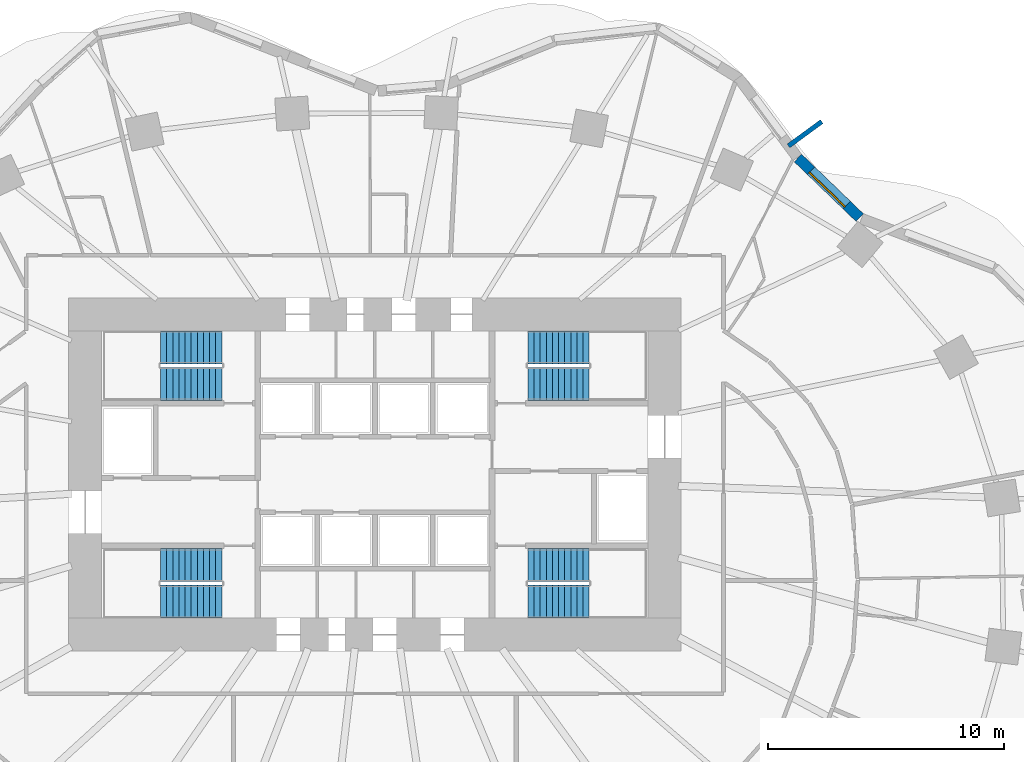
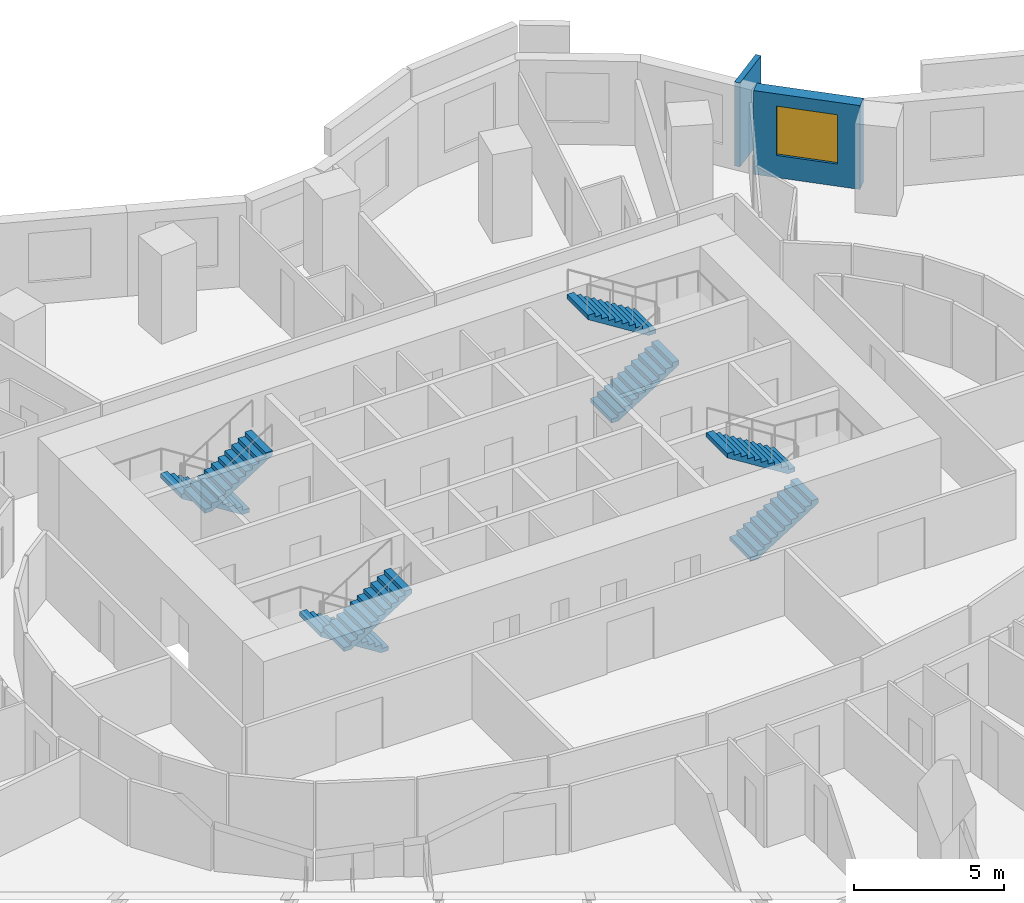
# One storey, part 10 of 11: 8 stair flights, 2 walls, 1 window, 1 opening, 4 elements without a shape of their own.
"""IFC4 building model written with IfcOpenShell, lengths in metres."""

from ifc_helpers import new_model, si_unit, direction, frame, frame_2d, origin, place, context, subcontext, project, spatial, polyline, rectangle, outline, extrude, material, layer, layer_set, type_object, element, fill, aggregate, save


model = new_model("IFC4")

# Units and contexts
model_context = context("Model", 3, precision=1e-05, world=origin(), true_north=direction((0.0, 1.0)))
body_context = subcontext(model_context, "Body", "Model", "MODEL_VIEW")
ifc_project = project(units=[si_unit("LENGTHUNIT", "METRE"), si_unit("AREAUNIT", "SQUARE_METRE"), si_unit("VOLUMEUNIT", "CUBIC_METRE"), si_unit("PLANEANGLEUNIT", "RADIAN"), si_unit("MASSUNIT", "GRAM", prefix="KILO")], contexts=[model_context])

# Site, building, storey
site_placement = place(None, origin())
site = spatial("IfcSite", under=ifc_project, at=site_placement, CompositionType="ELEMENT")
building_placement = place(site_placement, origin())
building = spatial("IfcBuilding", under=site, at=building_placement, Name="Rubra Terraces Tower", CompositionType="ELEMENT")
storey_placement = place(building_placement, frame((0.0, 0.0, 69.89990234375)))
storey = spatial("IfcBuildingStorey", under=building, at=storey_placement, Name="L15", CompositionType="ELEMENT", Elevation=69.89990234375)

# Wall, opening, window
ifc_material_1 = material(Name="Brick masonry red-brown", Category="masonry")
ifc_layer_1 = layer(ifc_material_1, 0.449951171875)
ifc_layer_set_1 = layer_set([ifc_layer_1], Name="Brick masonry red-brown")
wall_type_1 = type_object("IfcWallType", Name="Brick facade wall 450", PredefinedType="SOLIDWALL", material=ifc_layer_set_1)
wall_1_placement = place(storey_placement, frame((20.585205078125, 15.40576171875, 0.0), z_axis=(0.0, 0.0, 1.0), x_axis=(-0.719978118026, 0.693996764808, 0.0)))
wall_1 = element("IfcWall", 1, at=wall_1_placement, inside=storey, type_object=wall_type_1, Name="Facade wall L15 bay 5", PredefinedType="SOLIDWALL", context=body_context, shape_type="SweptSolid", body=[
    extrude(rectangle(XDim=3.64599609375, YDim=0.449951171875, at=frame_2d((1.822998046875, 0.0))), origin(), (0.0, 0.0, 1.0), 3.400146484375),
])
opening_placement = place(wall_1_placement, frame((0.77294921875, 0.0, 0.89990234375)))
opening = element("IfcOpeningElement", 2, at=opening_placement, cuts=wall_1, Name="Opening W1", PredefinedType="OPENING", context=body_context, shape_type="SweptSolid", body=[
    extrude(rectangle(XDim=2.10009765625, YDim=2.0, at=frame_2d((1.050048828125, 1.0))), frame((0.0, 0.23486328125, 0.0), z_axis=(0.0, -1.0, 0.0), x_axis=(1.0, 0.0, 0.0)), (0.0, 0.0, 1.0), 0.469970703125),
])
ifc_material_2 = material(Name="Clear glass in aluminium frame", Category="aluminium")
window_type = type_object("IfcWindowType", Name="Fixed deep-set window 2100 x 2000", PartitioningType="SINGLE_PANEL", PredefinedType="WINDOW", material=ifc_material_2)
window_placement = place(opening_placement, origin())
window = element("IfcWindow", 3, at=window_placement, inside=storey, type_object=window_type, Name="Window L15 bay 5", OverallHeight=2.0, OverallWidth=2.10009765625, PartitioningType="SINGLE_PANEL", PredefinedType="WINDOW", context=body_context, shape_type="SweptSolid", body=[
    extrude(rectangle(XDim=2.10009765625, YDim=2.0, at=frame_2d((1.050048828125, 1.0))), frame((0.0, 0.135009765625, 0.0), z_axis=(0.0, -1.0, 0.0), x_axis=(1.0, 0.0, 0.0)), (0.0, 0.0, 1.0), 0.06005859375),
])
fill(opening, window)

# Wall
ifc_layer_2 = layer(ifc_material_1, 0.199951171875)
ifc_layer_set_2 = layer_set([ifc_layer_2], Name="Brick masonry red-brown")
wall_type_2 = type_object("IfcWallType", Name="Brick wind fin 200", PredefinedType="SOLIDWALL", material=ifc_layer_set_2)
wall_2_placement = place(storey_placement, frame((17.56005859375, 18.449951171875, 0.0), z_axis=(0.0, 0.0, 1.0), x_axis=(0.807091943364, 0.590425774299, 0.0)))
element("IfcWall", 4, at=wall_2_placement, inside=storey, type_object=wall_type_2, Name="Wind fin L15 4", PredefinedType="SOLIDWALL", context=body_context, shape_type="SweptSolid", body=[
    extrude(rectangle(XDim=1.75, YDim=0.199951171875, at=frame_2d((0.875, 0.0))), origin(), (0.0, 0.0, 1.0), 3.400146484375),
])

# Stair, stair flights
ifc_material_3 = material(Name="Concrete C40", Category="concrete")
stair_type = type_object("IfcStairType", Name="Core stair 1400", PredefinedType="HALF_TURN_STAIR", material=ifc_material_3)
stair_1_placement = place(storey_placement, origin())
stair_1 = element("IfcStair", 5, at=stair_1_placement, inside=storey, type_object=stair_type, Name="L15 Exit stair S1", PredefinedType="HALF_TURN_STAIR")
stair_flight_type = type_object("IfcStairFlightType", Name="Core stair flight 1400", PredefinedType="STRAIGHT", material=ifc_material_3)
stair_flight_1_placement = place(storey_placement, frame((-6.5, 0.64990234375, 0.0), z_axis=(0.0, 0.0, 1.0), x_axis=(-1.0, 0.0, 0.0)))
stair_flight_1 = element("IfcStairFlight", 6, at=stair_flight_1_placement, type_object=stair_flight_type, Name="S1 flight 1", NumberOfRisers=11, NumberOfTreads=10, PredefinedType="STRAIGHT", RiserHeight=0.163636364, TreadLength=0.26, context=body_context, shape_type="SweptSolid", body=[
    extrude(outline(polyline([(0.0, 0.0), (0.0, 0.16357421875), (0.260009765625, 0.16357421875), (0.260009765625, 0.327392578125), (0.52001953125, 0.327392578125), (0.52001953125, 0.490966796875), (0.780029296875, 0.490966796875), (0.780029296875, 0.654541015625), (1.0400390625, 0.654541015625), (1.0400390625, 0.818115234375), (1.300048828125, 0.818115234375), (1.300048828125, 0.98193359375), (1.56005859375, 0.98193359375), (1.56005859375, 1.1455078125), (1.820068359375, 1.1455078125), (1.820068359375, 1.30908203125), (2.080078125, 1.30908203125), (2.080078125, 1.47265625), (2.340087890625, 1.47265625), (2.340087890625, 1.636474609375), (2.60009765625, 1.636474609375), (2.60009765625, 1.800048828125), (2.60009765625, 1.459228515625), (0.281494140625, 0.0), (0.0, 0.0)])), frame((0.0, 0.699951171875, 0.0), z_axis=(0.0, -1.0, 0.0), x_axis=(1.0, 0.0, 0.0)), (0.0, 0.0, 1.0), 1.39990234375),
])
stair_flight_2_placement = place(storey_placement, frame((-9.10009765625, -0.89990234375, 1.800048828125), z_axis=(0.0, 0.0, 1.0), x_axis=(1.0, 0.0, 0.0)))
stair_flight_2 = element("IfcStairFlight", 7, at=stair_flight_2_placement, type_object=stair_flight_type, Name="S1 flight 2", NumberOfRisers=11, NumberOfTreads=10, PredefinedType="STRAIGHT", RiserHeight=0.163636364, TreadLength=0.26, context=body_context, shape_type="SweptSolid", body=[
    extrude(outline(polyline([(0.0, 0.0), (0.0, 0.16357421875), (0.260009765625, 0.16357421875), (0.260009765625, 0.327392578125), (0.52001953125, 0.327392578125), (0.52001953125, 0.490966796875), (0.780029296875, 0.490966796875), (0.780029296875, 0.654541015625), (1.0400390625, 0.654541015625), (1.0400390625, 0.818115234375), (1.300048828125, 0.818115234375), (1.300048828125, 0.98193359375), (1.56005859375, 0.98193359375), (1.56005859375, 1.1455078125), (1.820068359375, 1.1455078125), (1.820068359375, 1.30908203125), (2.080078125, 1.30908203125), (2.080078125, 1.47265625), (2.340087890625, 1.47265625), (2.340087890625, 1.636474609375), (2.60009765625, 1.636474609375), (2.60009765625, 1.800048828125), (2.60009765625, 1.459228515625), (0.281494140625, 0.0), (0.0, 0.0)])), frame((0.0, 0.699951171875, 0.0), z_axis=(0.0, -1.0, 0.0), x_axis=(1.0, 0.0, 0.0)), (0.0, 0.0, 1.0), 1.39990234375),
])
aggregate(stair_1, [stair_flight_1, stair_flight_2])

stair_2_placement = place(storey_placement, origin())
stair_2 = element("IfcStair", 8, at=stair_2_placement, inside=storey, type_object=stair_type, Name="L15 Exit stair S2", PredefinedType="HALF_TURN_STAIR")
stair_flight_3_placement = place(storey_placement, frame((-6.5, 9.89990234375, 0.0), z_axis=(0.0, 0.0, 1.0), x_axis=(-1.0, 0.0, 0.0)))
stair_flight_3 = element("IfcStairFlight", 9, at=stair_flight_3_placement, type_object=stair_flight_type, Name="S2 flight 1", NumberOfRisers=11, NumberOfTreads=10, PredefinedType="STRAIGHT", RiserHeight=0.163636364, TreadLength=0.26, context=body_context, shape_type="SweptSolid", body=[
    extrude(outline(polyline([(0.0, 0.0), (0.0, 0.16357421875), (0.260009765625, 0.16357421875), (0.260009765625, 0.327392578125), (0.52001953125, 0.327392578125), (0.52001953125, 0.490966796875), (0.780029296875, 0.490966796875), (0.780029296875, 0.654541015625), (1.0400390625, 0.654541015625), (1.0400390625, 0.818115234375), (1.300048828125, 0.818115234375), (1.300048828125, 0.98193359375), (1.56005859375, 0.98193359375), (1.56005859375, 1.1455078125), (1.820068359375, 1.1455078125), (1.820068359375, 1.30908203125), (2.080078125, 1.30908203125), (2.080078125, 1.47265625), (2.340087890625, 1.47265625), (2.340087890625, 1.636474609375), (2.60009765625, 1.636474609375), (2.60009765625, 1.800048828125), (2.60009765625, 1.459228515625), (0.281494140625, 0.0), (0.0, 0.0)])), frame((0.0, 0.699951171875, 0.0), z_axis=(0.0, -1.0, 0.0), x_axis=(1.0, 0.0, 0.0)), (0.0, 0.0, 1.0), 1.39990234375),
])
stair_flight_4_placement = place(storey_placement, frame((-9.10009765625, 8.35009765625, 1.800048828125), z_axis=(0.0, 0.0, 1.0), x_axis=(1.0, 0.0, 0.0)))
stair_flight_4 = element("IfcStairFlight", 10, at=stair_flight_4_placement, type_object=stair_flight_type, Name="S2 flight 2", NumberOfRisers=11, NumberOfTreads=10, PredefinedType="STRAIGHT", RiserHeight=0.163636364, TreadLength=0.26, context=body_context, shape_type="SweptSolid", body=[
    extrude(outline(polyline([(0.0, 0.0), (0.0, 0.16357421875), (0.260009765625, 0.16357421875), (0.260009765625, 0.327392578125), (0.52001953125, 0.327392578125), (0.52001953125, 0.490966796875), (0.780029296875, 0.490966796875), (0.780029296875, 0.654541015625), (1.0400390625, 0.654541015625), (1.0400390625, 0.818115234375), (1.300048828125, 0.818115234375), (1.300048828125, 0.98193359375), (1.56005859375, 0.98193359375), (1.56005859375, 1.1455078125), (1.820068359375, 1.1455078125), (1.820068359375, 1.30908203125), (2.080078125, 1.30908203125), (2.080078125, 1.47265625), (2.340087890625, 1.47265625), (2.340087890625, 1.636474609375), (2.60009765625, 1.636474609375), (2.60009765625, 1.800048828125), (2.60009765625, 1.459228515625), (0.281494140625, 0.0), (0.0, 0.0)])), frame((0.0, 0.699951171875, 0.0), z_axis=(0.0, -1.0, 0.0), x_axis=(1.0, 0.0, 0.0)), (0.0, 0.0, 1.0), 1.39990234375),
])
aggregate(stair_2, [stair_flight_3, stair_flight_4])

stair_3_placement = place(storey_placement, origin())
stair_3 = element("IfcStair", 11, at=stair_3_placement, inside=storey, type_object=stair_type, Name="L15 Exit stair S3", PredefinedType="HALF_TURN_STAIR")
stair_flight_5_placement = place(storey_placement, frame((6.5, 8.35009765625, 0.0), z_axis=(0.0, 0.0, 1.0), x_axis=(1.0, 0.0, 0.0)))
stair_flight_5 = element("IfcStairFlight", 12, at=stair_flight_5_placement, type_object=stair_flight_type, Name="S3 flight 1", NumberOfRisers=11, NumberOfTreads=10, PredefinedType="STRAIGHT", RiserHeight=0.163636364, TreadLength=0.26, context=body_context, shape_type="SweptSolid", body=[
    extrude(outline(polyline([(0.0, 0.0), (0.0, 0.16357421875), (0.260009765625, 0.16357421875), (0.260009765625, 0.327392578125), (0.52001953125, 0.327392578125), (0.52001953125, 0.490966796875), (0.780029296875, 0.490966796875), (0.780029296875, 0.654541015625), (1.0400390625, 0.654541015625), (1.0400390625, 0.818115234375), (1.300048828125, 0.818115234375), (1.300048828125, 0.98193359375), (1.56005859375, 0.98193359375), (1.56005859375, 1.1455078125), (1.820068359375, 1.1455078125), (1.820068359375, 1.30908203125), (2.080078125, 1.30908203125), (2.080078125, 1.47265625), (2.340087890625, 1.47265625), (2.340087890625, 1.636474609375), (2.60009765625, 1.636474609375), (2.60009765625, 1.800048828125), (2.60009765625, 1.459228515625), (0.281494140625, 0.0), (0.0, 0.0)])), frame((0.0, 0.699951171875, 0.0), z_axis=(0.0, -1.0, 0.0), x_axis=(1.0, 0.0, 0.0)), (0.0, 0.0, 1.0), 1.39990234375),
])
stair_flight_6_placement = place(storey_placement, frame((9.10009765625, 9.89990234375, 1.800048828125), z_axis=(0.0, 0.0, 1.0), x_axis=(-1.0, 0.0, 0.0)))
stair_flight_6 = element("IfcStairFlight", 13, at=stair_flight_6_placement, type_object=stair_flight_type, Name="S3 flight 2", NumberOfRisers=11, NumberOfTreads=10, PredefinedType="STRAIGHT", RiserHeight=0.163636364, TreadLength=0.26, context=body_context, shape_type="SweptSolid", body=[
    extrude(outline(polyline([(0.0, 0.0), (0.0, 0.16357421875), (0.260009765625, 0.16357421875), (0.260009765625, 0.327392578125), (0.52001953125, 0.327392578125), (0.52001953125, 0.490966796875), (0.780029296875, 0.490966796875), (0.780029296875, 0.654541015625), (1.0400390625, 0.654541015625), (1.0400390625, 0.818115234375), (1.300048828125, 0.818115234375), (1.300048828125, 0.98193359375), (1.56005859375, 0.98193359375), (1.56005859375, 1.1455078125), (1.820068359375, 1.1455078125), (1.820068359375, 1.30908203125), (2.080078125, 1.30908203125), (2.080078125, 1.47265625), (2.340087890625, 1.47265625), (2.340087890625, 1.636474609375), (2.60009765625, 1.636474609375), (2.60009765625, 1.800048828125), (2.60009765625, 1.459228515625), (0.281494140625, 0.0), (0.0, 0.0)])), frame((0.0, 0.699951171875, 0.0), z_axis=(0.0, -1.0, 0.0), x_axis=(1.0, 0.0, 0.0)), (0.0, 0.0, 1.0), 1.39990234375),
])
aggregate(stair_3, [stair_flight_5, stair_flight_6])

stair_4_placement = place(storey_placement, origin())
stair_4 = element("IfcStair", 14, at=stair_4_placement, inside=storey, type_object=stair_type, Name="L15 Exit stair S4", PredefinedType="HALF_TURN_STAIR")
stair_flight_7_placement = place(storey_placement, frame((6.5, -0.89990234375, 0.0), z_axis=(0.0, 0.0, 1.0), x_axis=(1.0, 0.0, 0.0)))
stair_flight_7 = element("IfcStairFlight", 15, at=stair_flight_7_placement, type_object=stair_flight_type, Name="S4 flight 1", NumberOfRisers=11, NumberOfTreads=10, PredefinedType="STRAIGHT", RiserHeight=0.163636364, TreadLength=0.26, context=body_context, shape_type="SweptSolid", body=[
    extrude(outline(polyline([(0.0, 0.0), (0.0, 0.16357421875), (0.260009765625, 0.16357421875), (0.260009765625, 0.327392578125), (0.52001953125, 0.327392578125), (0.52001953125, 0.490966796875), (0.780029296875, 0.490966796875), (0.780029296875, 0.654541015625), (1.0400390625, 0.654541015625), (1.0400390625, 0.818115234375), (1.300048828125, 0.818115234375), (1.300048828125, 0.98193359375), (1.56005859375, 0.98193359375), (1.56005859375, 1.1455078125), (1.820068359375, 1.1455078125), (1.820068359375, 1.30908203125), (2.080078125, 1.30908203125), (2.080078125, 1.47265625), (2.340087890625, 1.47265625), (2.340087890625, 1.636474609375), (2.60009765625, 1.636474609375), (2.60009765625, 1.800048828125), (2.60009765625, 1.459228515625), (0.281494140625, 0.0), (0.0, 0.0)])), frame((0.0, 0.699951171875, 0.0), z_axis=(0.0, -1.0, 0.0), x_axis=(1.0, 0.0, 0.0)), (0.0, 0.0, 1.0), 1.39990234375),
])
stair_flight_8_placement = place(storey_placement, frame((9.10009765625, 0.64990234375, 1.800048828125), z_axis=(0.0, 0.0, 1.0), x_axis=(-1.0, 0.0, 0.0)))
stair_flight_8 = element("IfcStairFlight", 16, at=stair_flight_8_placement, type_object=stair_flight_type, Name="S4 flight 2", NumberOfRisers=11, NumberOfTreads=10, PredefinedType="STRAIGHT", RiserHeight=0.163636364, TreadLength=0.26, context=body_context, shape_type="SweptSolid", body=[
    extrude(outline(polyline([(0.0, 0.0), (0.0, 0.16357421875), (0.260009765625, 0.16357421875), (0.260009765625, 0.327392578125), (0.52001953125, 0.327392578125), (0.52001953125, 0.490966796875), (0.780029296875, 0.490966796875), (0.780029296875, 0.654541015625), (1.0400390625, 0.654541015625), (1.0400390625, 0.818115234375), (1.300048828125, 0.818115234375), (1.300048828125, 0.98193359375), (1.56005859375, 0.98193359375), (1.56005859375, 1.1455078125), (1.820068359375, 1.1455078125), (1.820068359375, 1.30908203125), (2.080078125, 1.30908203125), (2.080078125, 1.47265625), (2.340087890625, 1.47265625), (2.340087890625, 1.636474609375), (2.60009765625, 1.636474609375), (2.60009765625, 1.800048828125), (2.60009765625, 1.459228515625), (0.281494140625, 0.0), (0.0, 0.0)])), frame((0.0, 0.699951171875, 0.0), z_axis=(0.0, -1.0, 0.0), x_axis=(1.0, 0.0, 0.0)), (0.0, 0.0, 1.0), 1.39990234375),
])
aggregate(stair_4, [stair_flight_7, stair_flight_8])

save(model, "model.ifc")
